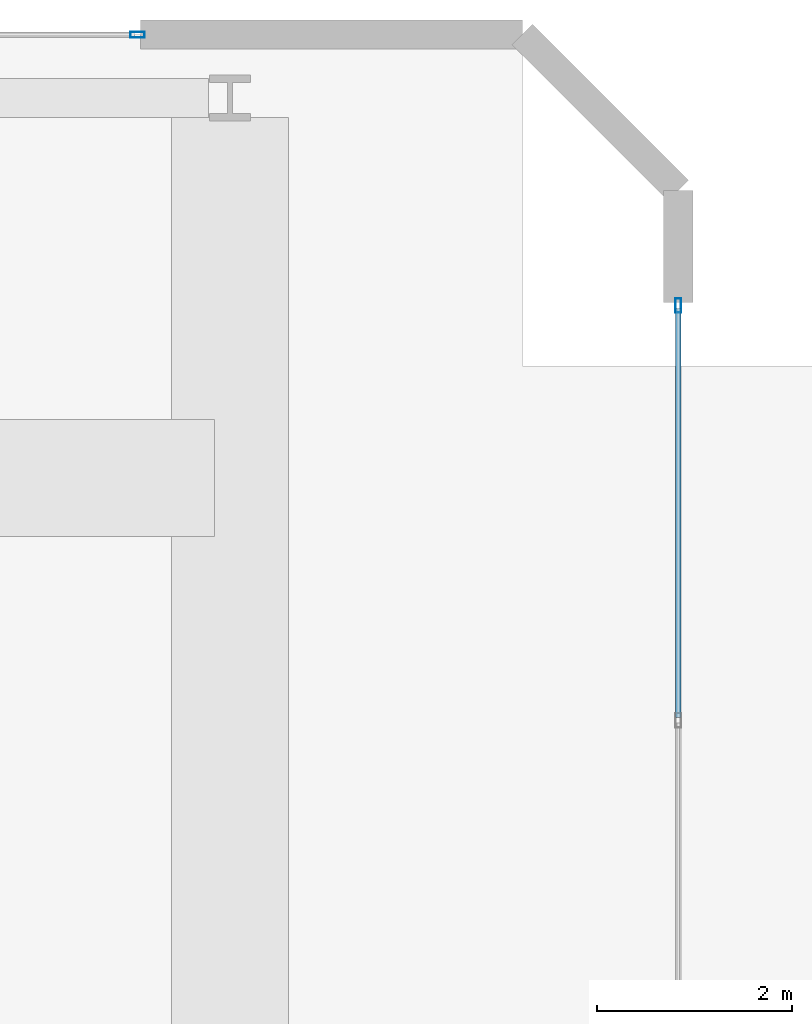
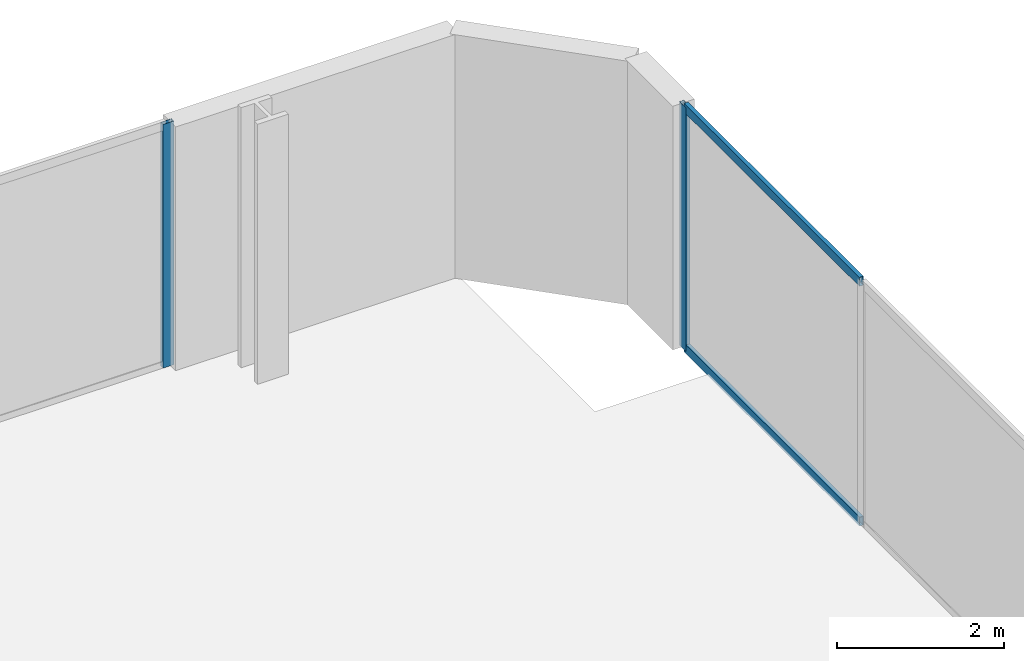
# One storey, part 20 of 27: 4 members, 2 elements without a shape of their own.
"""IFC4 building model written with IfcOpenShell, lengths in metres."""

from ifc_helpers import new_model, si_unit, direction, frame, origin, origin_2d, place, context, subcontext, project, spatial, hollow_rectangle, extrude, material, layer, layer_set, material_profile, profile_set, type_object, element, aggregate, save


model = new_model("IFC4")

# Units and contexts
model_context = context("Model", 3, precision=1e-05, world=origin(), true_north=direction((0.0, 1.0)))
body_context = subcontext(model_context, "Body", "Model", "MODEL_VIEW")
ifc_project = project(units=[si_unit("LENGTHUNIT", "METRE"), si_unit("AREAUNIT", "SQUARE_METRE"), si_unit("VOLUMEUNIT", "CUBIC_METRE"), si_unit("PLANEANGLEUNIT", "RADIAN"), si_unit("MASSUNIT", "GRAM", prefix="KILO")], contexts=[model_context])

# Site, building, storey
site_placement = place(None, origin())
site = spatial("IfcSite", under=ifc_project, at=site_placement, CompositionType="ELEMENT")
building_placement = place(site_placement, origin())
building = spatial("IfcBuilding", under=site, at=building_placement, Name="Zuhayl Quay Hotel", CompositionType="ELEMENT")
storey_placement = place(building_placement, frame((0.0, 0.0, 297.25)))
storey = spatial("IfcBuildingStorey", under=building, at=storey_placement, Name="Crown 1", CompositionType="ELEMENT", Elevation=297.25)

# Curtain wall, member
ifc_material_1 = material(Name="Anodised Aluminium 6063-T6", Category="aluminium")
ifc_layer = layer(ifc_material_1, 0.159912109375, Name="Anodised Aluminium 6063-T6", Category="aluminium")
ifc_layer_set = layer_set([ifc_layer], Name="Anodised Aluminium 6063-T6")
curtain_wall_type = type_object("IfcCurtainWallType", Name="CW_SYS_CRN", PredefinedType="USERDEFINED", material=ifc_layer_set)
curtain_wall_1_placement = place(storey_placement, origin())
curtain_wall_1 = element("IfcCurtainWall", 1, at=curtain_wall_1_placement, inside=storey, type_object=curtain_wall_type, Name="Crown 1 Curtain Wall ENV_CR1_E3_CW5", ObjectType="UNITISED CURTAIN WALL", PredefinedType="USERDEFINED")
ifc_material_2 = material(Name="Black-anodised aluminium 6063-T6", Category="aluminium")
ifc_material_profile_1 = material_profile(ifc_material_2, hollow_rectangle(XDim=0.06005859375, YDim=0.14990234375, WallThickness=0.00341796875, at=origin_2d()), Name="ALU150X60")
ifc_profile_set_1 = profile_set([ifc_material_profile_1], Name="Black-anodised aluminium 6063-T6")
member_type_1 = type_object("IfcMemberType", Name="MB_CW_MUL_150", PredefinedType="MULLION", material=ifc_profile_set_1)
member_1_placement = place(storey_placement, frame((12.85009765625, 39.0, 0.0), z_axis=(0.0, 0.0, 1.0), x_axis=(0.0, 1.0, 0.0)))
member_1 = element("IfcMember", 2, at=member_1_placement, type_object=member_type_1, Name="CW-CRN mullion 2", PredefinedType="MULLION", context=body_context, shape_type="SweptSolid", body=[
    extrude(hollow_rectangle(XDim=0.06005859375, YDim=0.14990234375, WallThickness=0.00341796875, at=origin_2d()), origin(), (0.0, 0.0, 1.0), 3.56005859375),
])
aggregate(curtain_wall_1, [member_1])

# Curtain wall, members
curtain_wall_2_placement = place(storey_placement, origin())
curtain_wall_2 = element("IfcCurtainWall", 3, at=curtain_wall_2_placement, inside=storey, type_object=curtain_wall_type, Name="Crown 1 Curtain Wall ENV_CR1_E5_CW1", ObjectType="UNITISED CURTAIN WALL", PredefinedType="USERDEFINED")
member_2_placement = place(storey_placement, frame((18.39990234375, 36.219970703125, 0.0), z_axis=(0.0, 0.0, 1.0), x_axis=(1.0, 0.0, 0.0)))
member_2 = element("IfcMember", 4, at=member_2_placement, type_object=member_type_1, Name="CW-CRN mullion 1", PredefinedType="MULLION", context=body_context, shape_type="SweptSolid", body=[
    extrude(hollow_rectangle(XDim=0.06005859375, YDim=0.14990234375, WallThickness=0.00341796875, at=origin_2d()), origin(), (0.0, 0.0, 1.0), 3.56005859375),
])
ifc_material_profile_2 = material_profile(ifc_material_2, hollow_rectangle(XDim=0.054931640625, YDim=0.1298828125, WallThickness=0.0029296875, at=origin_2d()), Name="ALU130X55")
ifc_profile_set_2 = profile_set([ifc_material_profile_2], Name="Black-anodised aluminium 6063-T6")
member_type_2 = type_object("IfcMemberType", Name="MB_CW_TRN_130", PredefinedType="USERDEFINED", material=ifc_profile_set_2)
member_3_placement = place(storey_placement, frame((18.39990234375, 36.18994140625, 0.027587890625), z_axis=(0.0, -1.0, 0.0), x_axis=(1.0, 0.0, 0.0)))
member_3 = element("IfcMember", 5, at=member_3_placement, type_object=member_type_2, Name="CW-CRN transom 1.1", ObjectType="TRANSOM", PredefinedType="USERDEFINED", context=body_context, shape_type="SweptSolid", body=[
    extrude(hollow_rectangle(XDim=0.054931640625, YDim=0.1298828125, WallThickness=0.0029296875, at=origin_2d()), origin(), (0.0, 0.0, 1.0), 4.197509765625),
])
member_4_placement = place(storey_placement, frame((18.39990234375, 36.18994140625, 3.532470703125), z_axis=(0.0, -1.0, 0.0), x_axis=(1.0, 0.0, 0.0)))
member_4 = element("IfcMember", 6, at=member_4_placement, type_object=member_type_2, Name="CW-CRN transom 1.2", ObjectType="TRANSOM", PredefinedType="USERDEFINED", context=body_context, shape_type="SweptSolid", body=[
    extrude(hollow_rectangle(XDim=0.054931640625, YDim=0.1298828125, WallThickness=0.0029296875, at=origin_2d()), origin(), (0.0, 0.0, 1.0), 4.197509765625),
])
aggregate(curtain_wall_2, [member_2, member_3, member_4])

save(model, "model.ifc")
